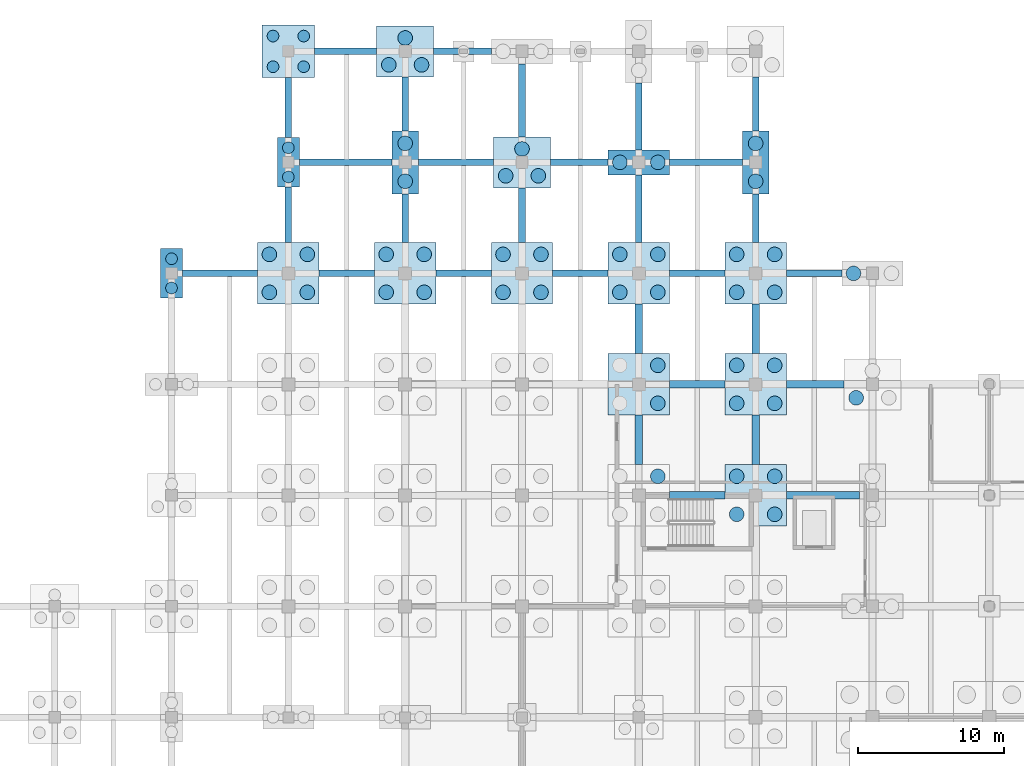
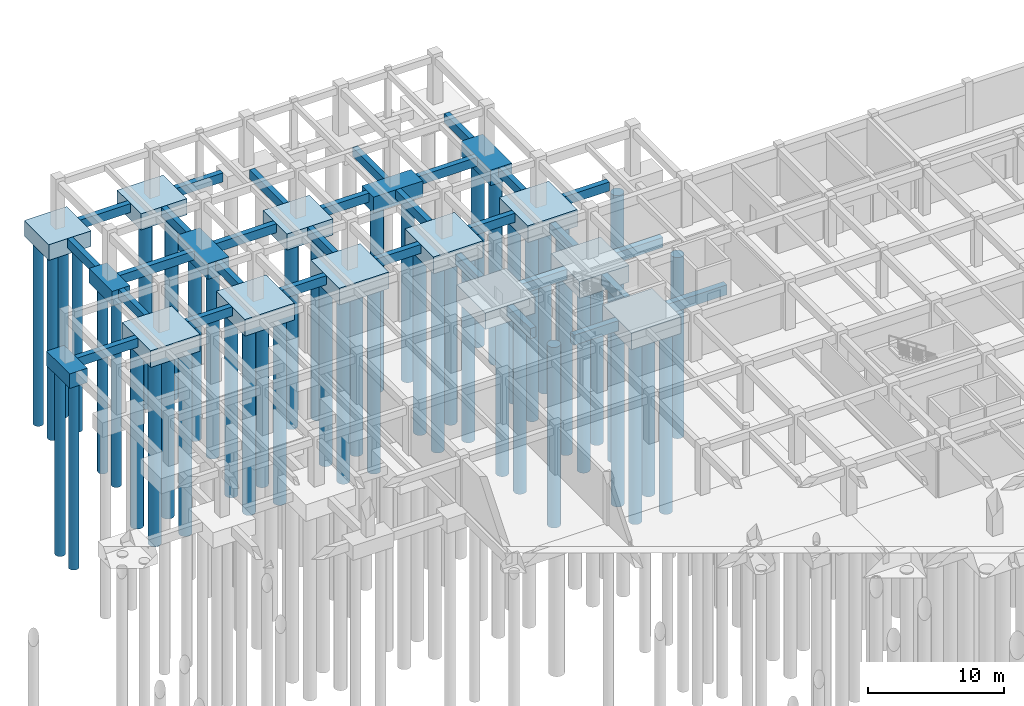
# One storey, part 9 of 49: 53 piles, 46 footings.
"""IFC4 building model written with IfcOpenShell, lengths in metres."""

from ifc_helpers import new_model, si_unit, direction, frame, origin, origin_2d, place, context, subcontext, project, spatial, rectangle, circle, extrude, material, layer, layer_set, material_profile, profile_set, type_object, element, save


model = new_model("IFC4")

# Units and contexts
model_context = context("Model", 3, precision=1e-05, world=origin(), true_north=direction((0.0, 1.0)))
body_context = subcontext(model_context, "Body", "Model", "MODEL_VIEW")
ifc_project = project(units=[si_unit("LENGTHUNIT", "METRE"), si_unit("AREAUNIT", "SQUARE_METRE"), si_unit("VOLUMEUNIT", "CUBIC_METRE"), si_unit("PLANEANGLEUNIT", "RADIAN"), si_unit("MASSUNIT", "GRAM", prefix="KILO")], contexts=[model_context])

# Site, building, storey
site_placement = place(None, origin())
site = spatial("IfcSite", under=ifc_project, at=site_placement, CompositionType="ELEMENT")
building_placement = place(site_placement, origin())
building = spatial("IfcBuilding", under=site, at=building_placement, Name="Zantavel Square City Hall", CompositionType="ELEMENT")
storey_placement = place(building_placement, frame((0.0, 0.0, -4.5)))
storey = spatial("IfcBuildingStorey", under=building, at=storey_placement, Name="B1", CompositionType="ELEMENT", Elevation=-4.5)

# Piles
ifc_material_1 = material(Name="Concrete C35/45", Category="concrete")
ifc_material_profile_1 = material_profile(ifc_material_1, circle(Radius=0.5, at=origin_2d()), Name="PILE D1000")
ifc_profile_set_1 = profile_set([ifc_material_profile_1], Name="Concrete C35/45")
pile_type_1 = type_object("IfcPileType", Name="Bored Pile D1000 Concrete C35/45", PredefinedType="BORED", material=ifc_profile_set_1)
for number, where, z_axis, x_axis, name in (
    (1, (22.699951171875, 97.5, -1.39990234375), (0.0, 0.0, -1.0), (1.0, 0.0, 0.0), "Bored Pile FDN-PL-0240-0988-1"),
    (2, (25.300048828125, 97.5, -1.39990234375), (0.0, 0.0, -1.0), (1.0, 0.0, 0.0), "Bored Pile FDN-PL-0240-0988-2"),
    (3, (22.699951171875, 100.10009765625, -1.39990234375), (0.0, 0.0, -1.0), (1.0, 0.0, 0.0), "Bored Pile FDN-PL-0240-0988-3"),
    (4, (25.300048828125, 100.10009765625, -1.39990234375), (0.0, 0.0, -1.0), (1.0, 0.0, 0.0), "Bored Pile FDN-PL-0240-0988-4"),
    (5, (30.699951171875, 97.5, -1.39990234375), (0.0, 0.0, -1.0), (1.0, 0.0, 0.0), "Bored Pile FDN-PL-0320-0988-1"),
    (6, (33.300048828125, 97.5, -1.39990234375), (0.0, 0.0, -1.0), (1.0, 0.0, 0.0), "Bored Pile FDN-PL-0320-0988-2"),
    (7, (30.699951171875, 100.10009765625, -1.39990234375), (0.0, 0.0, -1.0), (1.0, 0.0, 0.0), "Bored Pile FDN-PL-0320-0988-3"),
    (8, (33.300048828125, 100.10009765625, -1.39990234375), (0.0, 0.0, -1.0), (1.0, 0.0, 0.0), "Bored Pile FDN-PL-0320-0988-4"),
):
    element("IfcPile", number, at=place(storey_placement, frame(where, z_axis=z_axis, x_axis=x_axis)), inside=storey, type_object=pile_type_1, Name=name, PredefinedType="BORED", context=body_context, shape_type="SweptSolid", body=[
        extrude(circle(Radius=0.5, at=origin_2d()), origin(), (0.0, 0.0, 1.0), 16.60009765625),
    ])
for number, where, z_axis, x_axis, name in (
    (9, (32.0, 105.10009765625, -1.300048828125), (0.0, 0.0, -1.0), (1.0, 0.0, 0.0), "Bored Pile FDN-PL-0320-1064-1"),
    (10, (32.0, 107.699951171875, -1.300048828125), (0.0, 0.0, -1.0), (1.0, 0.0, 0.0), "Bored Pile FDN-PL-0320-1064-2"),
):
    element("IfcPile", number, at=place(storey_placement, frame(where, z_axis=z_axis, x_axis=x_axis)), inside=storey, type_object=pile_type_1, Name=name, PredefinedType="BORED", context=body_context, shape_type="SweptSolid", body=[
        extrude(circle(Radius=0.5, at=origin_2d()), origin(), (0.0, 0.0, 1.0), 16.699951171875),
    ])
for number, where, z_axis, x_axis, name in (
    (11, (30.8798828125, 113.080078125, -1.35009765625), (0.0, 0.0, -1.0), (1.0, 0.0, 0.0), "Bored Pile FDN-PL-0320-1140-1"),
    (12, (33.1201171875, 113.080078125, -1.35009765625), (0.0, 0.0, -1.0), (1.0, 0.0, 0.0), "Bored Pile FDN-PL-0320-1140-2"),
    (13, (32.0, 114.919921875, -1.35009765625), (0.0, 0.0, -1.0), (1.0, 0.0, 0.0), "Bored Pile FDN-PL-0320-1140-3"),
):
    element("IfcPile", number, at=place(storey_placement, frame(where, z_axis=z_axis, x_axis=x_axis)), inside=storey, type_object=pile_type_1, Name=name, PredefinedType="BORED", context=body_context, shape_type="SweptSolid", body=[
        extrude(circle(Radius=0.5, at=origin_2d()), origin(), (0.0, 0.0, 1.0), 16.64990234375),
    ])
for number, where, z_axis, x_axis, name in (
    (14, (38.699951171875, 97.5, -1.39990234375), (0.0, 0.0, -1.0), (1.0, 0.0, 0.0), "Bored Pile FDN-PL-0400-0988-1"),
    (15, (41.300048828125, 97.5, -1.39990234375), (0.0, 0.0, -1.0), (1.0, 0.0, 0.0), "Bored Pile FDN-PL-0400-0988-2"),
    (16, (38.699951171875, 100.10009765625, -1.39990234375), (0.0, 0.0, -1.0), (1.0, 0.0, 0.0), "Bored Pile FDN-PL-0400-0988-3"),
    (17, (41.300048828125, 100.10009765625, -1.39990234375), (0.0, 0.0, -1.0), (1.0, 0.0, 0.0), "Bored Pile FDN-PL-0400-0988-4"),
):
    element("IfcPile", number, at=place(storey_placement, frame(where, z_axis=z_axis, x_axis=x_axis)), inside=storey, type_object=pile_type_1, Name=name, PredefinedType="BORED", context=body_context, shape_type="SweptSolid", body=[
        extrude(circle(Radius=0.5, at=origin_2d()), origin(), (0.0, 0.0, 1.0), 16.60009765625),
    ])
for number, where, z_axis, x_axis, name in (
    (18, (38.8798828125, 105.47998046875, -1.35009765625), (0.0, 0.0, -1.0), (1.0, 0.0, 0.0), "Bored Pile FDN-PL-0400-1064-1"),
    (19, (41.1201171875, 105.47998046875, -1.35009765625), (0.0, 0.0, -1.0), (1.0, 0.0, 0.0), "Bored Pile FDN-PL-0400-1064-2"),
    (20, (40.0, 107.320068359375, -1.35009765625), (0.0, 0.0, -1.0), (1.0, 0.0, 0.0), "Bored Pile FDN-PL-0400-1064-3"),
):
    element("IfcPile", number, at=place(storey_placement, frame(where, z_axis=z_axis, x_axis=x_axis)), inside=storey, type_object=pile_type_1, Name=name, PredefinedType="BORED", context=body_context, shape_type="SweptSolid", body=[
        extrude(circle(Radius=0.5, at=origin_2d()), origin(), (0.0, 0.0, 1.0), 16.64990234375),
    ])
for number, where, z_axis, x_axis, name in (
    (21, (49.300048828125, 84.89990234375, -1.800048828125), (0.0, 0.0, -1.0), (1.0, 0.0, 0.0), "Bored Pile FDN-PL-0480-0836-4"),
    (22, (49.300048828125, 89.89990234375, -1.800048828125), (0.0, 0.0, -1.0), (1.0, 0.0, 0.0), "Bored Pile FDN-PL-0480-0912-2"),
    (23, (49.300048828125, 92.5, -1.800048828125), (0.0, 0.0, -1.0), (1.0, 0.0, 0.0), "Bored Pile FDN-PL-0480-0912-4"),
):
    element("IfcPile", number, at=place(storey_placement, frame(where, z_axis=z_axis, x_axis=x_axis)), inside=storey, type_object=pile_type_1, Name=name, PredefinedType="BORED", context=body_context, shape_type="SweptSolid", body=[
        extrude(circle(Radius=0.5, at=origin_2d()), origin(), (0.0, 0.0, 1.0), 16.199951171875),
    ])
for number, where, z_axis, x_axis, name in (
    (24, (46.699951171875, 97.5, -1.39990234375), (0.0, 0.0, -1.0), (1.0, 0.0, 0.0), "Bored Pile FDN-PL-0480-0988-1"),
    (25, (49.300048828125, 97.5, -1.39990234375), (0.0, 0.0, -1.0), (1.0, 0.0, 0.0), "Bored Pile FDN-PL-0480-0988-2"),
    (26, (46.699951171875, 100.10009765625, -1.39990234375), (0.0, 0.0, -1.0), (1.0, 0.0, 0.0), "Bored Pile FDN-PL-0480-0988-3"),
    (27, (49.300048828125, 100.10009765625, -1.39990234375), (0.0, 0.0, -1.0), (1.0, 0.0, 0.0), "Bored Pile FDN-PL-0480-0988-4"),
):
    element("IfcPile", number, at=place(storey_placement, frame(where, z_axis=z_axis, x_axis=x_axis)), inside=storey, type_object=pile_type_1, Name=name, PredefinedType="BORED", context=body_context, shape_type="SweptSolid", body=[
        extrude(circle(Radius=0.5, at=origin_2d()), origin(), (0.0, 0.0, 1.0), 16.60009765625),
    ])
for number, where, z_axis, x_axis, name in (
    (28, (46.699951171875, 106.39990234375, -1.300048828125), (0.0, 0.0, -1.0), (1.0, 0.0, 0.0), "Bored Pile FDN-PL-0480-1064-1"),
    (29, (49.300048828125, 106.39990234375, -1.300048828125), (0.0, 0.0, -1.0), (1.0, 0.0, 0.0), "Bored Pile FDN-PL-0480-1064-2"),
):
    element("IfcPile", number, at=place(storey_placement, frame(where, z_axis=z_axis, x_axis=x_axis)), inside=storey, type_object=pile_type_1, Name=name, PredefinedType="BORED", context=body_context, shape_type="SweptSolid", body=[
        extrude(circle(Radius=0.5, at=origin_2d()), origin(), (0.0, 0.0, 1.0), 16.699951171875),
    ])
for number, where, z_axis, x_axis, name in (
    (30, (54.699951171875, 82.300048828125, -1.800048828125), (0.0, 0.0, -1.0), (1.0, 0.0, 0.0), "Bored Pile FDN-PL-0560-0836-1"),
    (31, (57.300048828125, 82.300048828125, -1.800048828125), (0.0, 0.0, -1.0), (1.0, 0.0, 0.0), "Bored Pile FDN-PL-0560-0836-2"),
    (32, (54.699951171875, 84.89990234375, -1.800048828125), (0.0, 0.0, -1.0), (1.0, 0.0, 0.0), "Bored Pile FDN-PL-0560-0836-3"),
    (33, (57.300048828125, 84.89990234375, -1.800048828125), (0.0, 0.0, -1.0), (1.0, 0.0, 0.0), "Bored Pile FDN-PL-0560-0836-4"),
    (34, (54.699951171875, 89.89990234375, -1.800048828125), (0.0, 0.0, -1.0), (1.0, 0.0, 0.0), "Bored Pile FDN-PL-0560-0912-1"),
    (35, (57.300048828125, 89.89990234375, -1.800048828125), (0.0, 0.0, -1.0), (1.0, 0.0, 0.0), "Bored Pile FDN-PL-0560-0912-2"),
    (36, (54.699951171875, 92.5, -1.800048828125), (0.0, 0.0, -1.0), (1.0, 0.0, 0.0), "Bored Pile FDN-PL-0560-0912-3"),
    (37, (57.300048828125, 92.5, -1.800048828125), (0.0, 0.0, -1.0), (1.0, 0.0, 0.0), "Bored Pile FDN-PL-0560-0912-4"),
):
    element("IfcPile", number, at=place(storey_placement, frame(where, z_axis=z_axis, x_axis=x_axis)), inside=storey, type_object=pile_type_1, Name=name, PredefinedType="BORED", context=body_context, shape_type="SweptSolid", body=[
        extrude(circle(Radius=0.5, at=origin_2d()), origin(), (0.0, 0.0, 1.0), 16.199951171875),
    ])
for number, where, z_axis, x_axis, name in (
    (38, (54.699951171875, 97.5, -1.39990234375), (0.0, 0.0, -1.0), (1.0, 0.0, 0.0), "Bored Pile FDN-PL-0560-0988-1"),
    (39, (57.300048828125, 97.5, -1.39990234375), (0.0, 0.0, -1.0), (1.0, 0.0, 0.0), "Bored Pile FDN-PL-0560-0988-2"),
    (40, (54.699951171875, 100.10009765625, -1.39990234375), (0.0, 0.0, -1.0), (1.0, 0.0, 0.0), "Bored Pile FDN-PL-0560-0988-3"),
    (41, (57.300048828125, 100.10009765625, -1.39990234375), (0.0, 0.0, -1.0), (1.0, 0.0, 0.0), "Bored Pile FDN-PL-0560-0988-4"),
):
    element("IfcPile", number, at=place(storey_placement, frame(where, z_axis=z_axis, x_axis=x_axis)), inside=storey, type_object=pile_type_1, Name=name, PredefinedType="BORED", context=body_context, shape_type="SweptSolid", body=[
        extrude(circle(Radius=0.5, at=origin_2d()), origin(), (0.0, 0.0, 1.0), 16.60009765625),
    ])
for number, where, z_axis, x_axis, name in (
    (42, (56.0, 105.10009765625, -1.300048828125), (0.0, 0.0, -1.0), (1.0, 0.0, 0.0), "Bored Pile FDN-PL-0560-1064-1"),
    (43, (56.0, 107.699951171875, -1.300048828125), (0.0, 0.0, -1.0), (1.0, 0.0, 0.0), "Bored Pile FDN-PL-0560-1064-2"),
):
    element("IfcPile", number, at=place(storey_placement, frame(where, z_axis=z_axis, x_axis=x_axis)), inside=storey, type_object=pile_type_1, Name=name, PredefinedType="BORED", context=body_context, shape_type="SweptSolid", body=[
        extrude(circle(Radius=0.5, at=origin_2d()), origin(), (0.0, 0.0, 1.0), 16.699951171875),
    ])
pile_1_placement = place(storey_placement, frame((62.8798828125, 90.280029296875, -1.75), z_axis=(0.0, 0.0, -1.0), x_axis=(1.0, 0.0, 0.0)))
element("IfcPile", 44, at=pile_1_placement, inside=storey, type_object=pile_type_1, Name="Bored Pile FDN-PL-0640-0912-1", PredefinedType="BORED", context=body_context, shape_type="SweptSolid", body=[
    extrude(circle(Radius=0.5, at=origin_2d()), origin(), (0.0, 0.0, 1.0), 16.25),
])
pile_2_placement = place(storey_placement, frame((62.699951171875, 98.800048828125, -1.300048828125), z_axis=(0.0, 0.0, -1.0), x_axis=(1.0, 0.0, 0.0)))
element("IfcPile", 45, at=pile_2_placement, inside=storey, type_object=pile_type_1, Name="Bored Pile FDN-PL-0640-0988-1", PredefinedType="BORED", context=body_context, shape_type="SweptSolid", body=[
    extrude(circle(Radius=0.5, at=origin_2d()), origin(), (0.0, 0.0, 1.0), 16.699951171875),
])
ifc_material_profile_2 = material_profile(ifc_material_1, circle(Radius=0.39990234375, at=origin_2d()), Name="PILE D800")
ifc_profile_set_2 = profile_set([ifc_material_profile_2], Name="Concrete C35/45")
pile_type_2 = type_object("IfcPileType", Name="Bored Pile D800 Concrete C35/45", PredefinedType="BORED", material=ifc_profile_set_2)
for number, where, z_axis, x_axis, name in (
    (46, (16.0, 97.800048828125, -1.199951171875), (0.0, 0.0, -1.0), (1.0, 0.0, 0.0), "Bored Pile FDN-PL-0160-0988-1"),
    (47, (16.0, 99.800048828125, -1.199951171875), (0.0, 0.0, -1.0), (1.0, 0.0, 0.0), "Bored Pile FDN-PL-0160-0988-2"),
    (48, (24.0, 105.39990234375, -1.199951171875), (0.0, 0.0, -1.0), (1.0, 0.0, 0.0), "Bored Pile FDN-PL-0240-1064-1"),
    (49, (24.0, 107.39990234375, -1.199951171875), (0.0, 0.0, -1.0), (1.0, 0.0, 0.0), "Bored Pile FDN-PL-0240-1064-2"),
):
    element("IfcPile", number, at=place(storey_placement, frame(where, z_axis=z_axis, x_axis=x_axis)), inside=storey, type_object=pile_type_2, Name=name, PredefinedType="BORED", context=body_context, shape_type="SweptSolid", body=[
        extrude(circle(Radius=0.39990234375, at=origin_2d()), origin(), (0.0, 0.0, 1.0), 16.800048828125),
    ])
for number, where, z_axis, x_axis, name in (
    (50, (22.949951171875, 112.949951171875, -1.300048828125), (0.0, 0.0, -1.0), (1.0, 0.0, 0.0), "Bored Pile FDN-PL-0240-1140-1"),
    (51, (25.050048828125, 112.949951171875, -1.300048828125), (0.0, 0.0, -1.0), (1.0, 0.0, 0.0), "Bored Pile FDN-PL-0240-1140-2"),
    (52, (22.949951171875, 115.050048828125, -1.300048828125), (0.0, 0.0, -1.0), (1.0, 0.0, 0.0), "Bored Pile FDN-PL-0240-1140-3"),
    (53, (25.050048828125, 115.050048828125, -1.300048828125), (0.0, 0.0, -1.0), (1.0, 0.0, 0.0), "Bored Pile FDN-PL-0240-1140-4"),
):
    element("IfcPile", number, at=place(storey_placement, frame(where, z_axis=z_axis, x_axis=x_axis)), inside=storey, type_object=pile_type_2, Name=name, PredefinedType="BORED", context=body_context, shape_type="SweptSolid", body=[
        extrude(circle(Radius=0.39990234375, at=origin_2d()), origin(), (0.0, 0.0, 1.0), 16.699951171875),
    ])

# Footings
ifc_material_profile_3 = material_profile(ifc_material_1, rectangle(XDim=0.449951171875, YDim=0.800048828125, at=origin_2d()), Name="RC 450x800")
ifc_profile_set_3 = profile_set([ifc_material_profile_3], Name="Concrete C35/45")
footing_type_1 = type_object("IfcFootingType", Name="Courtyard Grade Tie Beam 450x800 C35/45", PredefinedType="FOOTING_BEAM", material=ifc_profile_set_3)
footing_1_placement = place(storey_placement, frame((16.75, 98.800048828125, -0.39990234375), z_axis=(1.0, 0.0, 0.0), x_axis=(0.0, 1.0, 0.0)))
element("IfcFooting", 54, at=footing_1_placement, inside=storey, type_object=footing_type_1, Name="Grade Tie Beam FDN-GTBX-0160-0988", PredefinedType="FOOTING_BEAM", context=body_context, shape_type="SweptSolid", body=[
    extrude(rectangle(XDim=0.449951171875, YDim=0.800048828125, at=origin_2d()), origin(), (0.0, 0.0, 1.0), 5.14990234375),
])
footing_2_placement = place(storey_placement, frame((26.10009765625, 98.800048828125, -0.39990234375), z_axis=(1.0, 0.0, 0.0), x_axis=(0.0, 1.0, 0.0)))
element("IfcFooting", 55, at=footing_2_placement, inside=storey, type_object=footing_type_1, Name="Grade Tie Beam FDN-GTBX-0240-0988", PredefinedType="FOOTING_BEAM", context=body_context, shape_type="SweptSolid", body=[
    extrude(rectangle(XDim=0.449951171875, YDim=0.800048828125, at=origin_2d()), origin(), (0.0, 0.0, 1.0), 3.7998046875),
])
footing_3_placement = place(storey_placement, frame((24.0, 100.89990234375, -0.39990234375), z_axis=(0.0, 1.0, 0.0), x_axis=(-1.0, 0.0, 0.0)))
element("IfcFooting", 56, at=footing_3_placement, inside=storey, type_object=footing_type_1, Name="Grade Tie Beam FDN-GTBY-0240-0988", PredefinedType="FOOTING_BEAM", context=body_context, shape_type="SweptSolid", body=[
    extrude(rectangle(XDim=0.449951171875, YDim=0.800048828125, at=origin_2d()), origin(), (0.0, 0.0, 1.0), 3.800048828125),
])
footing_4_placement = place(storey_placement, frame((24.75, 106.39990234375, -0.39990234375), z_axis=(1.0, 0.0, 0.0), x_axis=(0.0, 1.0, 0.0)))
element("IfcFooting", 57, at=footing_4_placement, inside=storey, type_object=footing_type_1, Name="Grade Tie Beam FDN-GTBX-0240-1064", PredefinedType="FOOTING_BEAM", context=body_context, shape_type="SweptSolid", body=[
    extrude(rectangle(XDim=0.449951171875, YDim=0.800048828125, at=origin_2d()), origin(), (0.0, 0.0, 1.0), 6.35009765625),
])
footing_5_placement = place(storey_placement, frame((24.0, 108.10009765625, -0.39990234375), z_axis=(0.0, 1.0, 0.0), x_axis=(-1.0, 0.0, 0.0)))
element("IfcFooting", 58, at=footing_5_placement, inside=storey, type_object=footing_type_1, Name="Grade Tie Beam FDN-GTBY-0240-1064", PredefinedType="FOOTING_BEAM", context=body_context, shape_type="SweptSolid", body=[
    extrude(rectangle(XDim=0.449951171875, YDim=0.800048828125, at=origin_2d()), origin(), (0.0, 0.0, 1.0), 4.099853515625),
])
footing_6_placement = place(storey_placement, frame((25.800048828125, 114.0, -0.39990234375), z_axis=(1.0, 0.0, 0.0), x_axis=(0.0, 1.0, 0.0)))
element("IfcFooting", 59, at=footing_6_placement, inside=storey, type_object=footing_type_1, Name="Grade Tie Beam FDN-GTBX-0240-1140", PredefinedType="FOOTING_BEAM", context=body_context, shape_type="SweptSolid", body=[
    extrude(rectangle(XDim=0.449951171875, YDim=0.800048828125, at=origin_2d()), origin(), (0.0, 0.0, 1.0), 4.25),
])
footing_7_placement = place(storey_placement, frame((34.10009765625, 98.800048828125, -0.39990234375), z_axis=(1.0, 0.0, 0.0), x_axis=(0.0, 1.0, 0.0)))
element("IfcFooting", 60, at=footing_7_placement, inside=storey, type_object=footing_type_1, Name="Grade Tie Beam FDN-GTBX-0320-0988", PredefinedType="FOOTING_BEAM", context=body_context, shape_type="SweptSolid", body=[
    extrude(rectangle(XDim=0.449951171875, YDim=0.800048828125, at=origin_2d()), origin(), (0.0, 0.0, 1.0), 3.7998046875),
])
footing_8_placement = place(storey_placement, frame((32.0, 100.89990234375, -0.39990234375), z_axis=(0.0, 1.0, 0.0), x_axis=(-1.0, 0.0, 0.0)))
element("IfcFooting", 61, at=footing_8_placement, inside=storey, type_object=footing_type_1, Name="Grade Tie Beam FDN-GTBY-0320-0988", PredefinedType="FOOTING_BEAM", context=body_context, shape_type="SweptSolid", body=[
    extrude(rectangle(XDim=0.449951171875, YDim=0.800048828125, at=origin_2d()), origin(), (0.0, 0.0, 1.0), 3.35009765625),
])
footing_9_placement = place(storey_placement, frame((32.89990234375, 106.39990234375, -0.39990234375), z_axis=(1.0, 0.0, 0.0), x_axis=(0.0, 1.0, 0.0)))
element("IfcFooting", 62, at=footing_9_placement, inside=storey, type_object=footing_type_1, Name="Grade Tie Beam FDN-GTBX-0320-1064", PredefinedType="FOOTING_BEAM", context=body_context, shape_type="SweptSolid", body=[
    extrude(rectangle(XDim=0.449951171875, YDim=0.800048828125, at=origin_2d()), origin(), (0.0, 0.0, 1.0), 5.150146484375),
])
footing_10_placement = place(storey_placement, frame((32.0, 108.550048828125, -0.39990234375), z_axis=(0.0, 1.0, 0.0), x_axis=(-1.0, 0.0, 0.0)))
element("IfcFooting", 63, at=footing_10_placement, inside=storey, type_object=footing_type_1, Name="Grade Tie Beam FDN-GTBY-0320-1064", PredefinedType="FOOTING_BEAM", context=body_context, shape_type="SweptSolid", body=[
    extrude(rectangle(XDim=0.449951171875, YDim=0.800048828125, at=origin_2d()), origin(), (0.0, 0.0, 1.0), 3.699951171875),
])
footing_11_placement = place(storey_placement, frame((33.949951171875, 114.0, -0.39990234375), z_axis=(1.0, 0.0, 0.0), x_axis=(0.0, 1.0, 0.0)))
element("IfcFooting", 64, at=footing_11_placement, inside=storey, type_object=footing_type_1, Name="Grade Tie Beam FDN-GTBX-0320-1140", PredefinedType="FOOTING_BEAM", context=body_context, shape_type="SweptSolid", body=[
    extrude(rectangle(XDim=0.449951171875, YDim=0.800048828125, at=origin_2d()), origin(), (0.0, 0.0, 1.0), 3.949951171875),
])
footing_12_placement = place(storey_placement, frame((42.10009765625, 98.800048828125, -0.39990234375), z_axis=(1.0, 0.0, 0.0), x_axis=(0.0, 1.0, 0.0)))
element("IfcFooting", 65, at=footing_12_placement, inside=storey, type_object=footing_type_1, Name="Grade Tie Beam FDN-GTBX-0400-0988", PredefinedType="FOOTING_BEAM", context=body_context, shape_type="SweptSolid", body=[
    extrude(rectangle(XDim=0.449951171875, YDim=0.800048828125, at=origin_2d()), origin(), (0.0, 0.0, 1.0), 3.7998046875),
])
footing_13_placement = place(storey_placement, frame((40.0, 100.89990234375, -0.39990234375), z_axis=(0.0, 1.0, 0.0), x_axis=(-1.0, 0.0, 0.0)))
element("IfcFooting", 66, at=footing_13_placement, inside=storey, type_object=footing_type_1, Name="Grade Tie Beam FDN-GTBY-0400-0988", PredefinedType="FOOTING_BEAM", context=body_context, shape_type="SweptSolid", body=[
    extrude(rectangle(XDim=0.449951171875, YDim=0.800048828125, at=origin_2d()), origin(), (0.0, 0.0, 1.0), 3.75),
])
footing_14_placement = place(storey_placement, frame((41.949951171875, 106.39990234375, -0.39990234375), z_axis=(1.0, 0.0, 0.0), x_axis=(0.0, 1.0, 0.0)))
element("IfcFooting", 67, at=footing_14_placement, inside=storey, type_object=footing_type_1, Name="Grade Tie Beam FDN-GTBX-0400-1064", PredefinedType="FOOTING_BEAM", context=body_context, shape_type="SweptSolid", body=[
    extrude(rectangle(XDim=0.449951171875, YDim=0.800048828125, at=origin_2d()), origin(), (0.0, 0.0, 1.0), 3.949951171875),
])
footing_15_placement = place(storey_placement, frame((40.0, 108.14990234375, -0.39990234375), z_axis=(0.0, 1.0, 0.0), x_axis=(-1.0, 0.0, 0.0)))
element("IfcFooting", 68, at=footing_15_placement, inside=storey, type_object=footing_type_1, Name="Grade Tie Beam FDN-GTBY-0400-1064", PredefinedType="FOOTING_BEAM", context=body_context, shape_type="SweptSolid", body=[
    extrude(rectangle(XDim=0.449951171875, YDim=0.800048828125, at=origin_2d()), origin(), (0.0, 0.0, 1.0), 5.0),
])
footing_16_placement = place(storey_placement, frame((50.10009765625, 98.800048828125, -0.39990234375), z_axis=(1.0, 0.0, 0.0), x_axis=(0.0, 1.0, 0.0)))
element("IfcFooting", 69, at=footing_16_placement, inside=storey, type_object=footing_type_1, Name="Grade Tie Beam FDN-GTBX-0480-0988", PredefinedType="FOOTING_BEAM", context=body_context, shape_type="SweptSolid", body=[
    extrude(rectangle(XDim=0.449951171875, YDim=0.800048828125, at=origin_2d()), origin(), (0.0, 0.0, 1.0), 3.7998046875),
])
footing_17_placement = place(storey_placement, frame((48.0, 100.89990234375, -0.39990234375), z_axis=(0.0, 1.0, 0.0), x_axis=(-1.0, 0.0, 0.0)))
element("IfcFooting", 70, at=footing_17_placement, inside=storey, type_object=footing_type_1, Name="Grade Tie Beam FDN-GTBY-0480-0988", PredefinedType="FOOTING_BEAM", context=body_context, shape_type="SweptSolid", body=[
    extrude(rectangle(XDim=0.449951171875, YDim=0.800048828125, at=origin_2d()), origin(), (0.0, 0.0, 1.0), 4.650146484375),
])
footing_18_placement = place(storey_placement, frame((50.10009765625, 106.39990234375, -0.39990234375), z_axis=(1.0, 0.0, 0.0), x_axis=(0.0, 1.0, 0.0)))
element("IfcFooting", 71, at=footing_18_placement, inside=storey, type_object=footing_type_1, Name="Grade Tie Beam FDN-GTBX-0480-1064", PredefinedType="FOOTING_BEAM", context=body_context, shape_type="SweptSolid", body=[
    extrude(rectangle(XDim=0.449951171875, YDim=0.800048828125, at=origin_2d()), origin(), (0.0, 0.0, 1.0), 5.0),
])
footing_19_placement = place(storey_placement, frame((48.0, 107.25, -0.39990234375), z_axis=(0.0, 1.0, 0.0), x_axis=(-1.0, 0.0, 0.0)))
element("IfcFooting", 72, at=footing_19_placement, inside=storey, type_object=footing_type_1, Name="Grade Tie Beam FDN-GTBY-0480-1064", PredefinedType="FOOTING_BEAM", context=body_context, shape_type="SweptSolid", body=[
    extrude(rectangle(XDim=0.449951171875, YDim=0.800048828125, at=origin_2d()), origin(), (0.0, 0.0, 1.0), 4.60009765625),
])
footing_20_placement = place(storey_placement, frame((58.10009765625, 98.800048828125, -0.39990234375), z_axis=(1.0, 0.0, 0.0), x_axis=(0.0, 1.0, 0.0)))
element("IfcFooting", 73, at=footing_20_placement, inside=storey, type_object=footing_type_1, Name="Grade Tie Beam FDN-GTBX-0560-0988", PredefinedType="FOOTING_BEAM", context=body_context, shape_type="SweptSolid", body=[
    extrude(rectangle(XDim=0.449951171875, YDim=0.800048828125, at=origin_2d()), origin(), (0.0, 0.0, 1.0), 3.7998046875),
])
footing_21_placement = place(storey_placement, frame((56.0, 100.89990234375, -0.39990234375), z_axis=(0.0, 1.0, 0.0), x_axis=(-1.0, 0.0, 0.0)))
element("IfcFooting", 74, at=footing_21_placement, inside=storey, type_object=footing_type_1, Name="Grade Tie Beam FDN-GTBY-0560-0988", PredefinedType="FOOTING_BEAM", context=body_context, shape_type="SweptSolid", body=[
    extrude(rectangle(XDim=0.449951171875, YDim=0.800048828125, at=origin_2d()), origin(), (0.0, 0.0, 1.0), 3.35009765625),
])
footing_22_placement = place(storey_placement, frame((56.0, 108.550048828125, -0.39990234375), z_axis=(0.0, 1.0, 0.0), x_axis=(-1.0, 0.0, 0.0)))
element("IfcFooting", 75, at=footing_22_placement, inside=storey, type_object=footing_type_1, Name="Grade Tie Beam FDN-GTBY-0560-1064", PredefinedType="FOOTING_BEAM", context=body_context, shape_type="SweptSolid", body=[
    extrude(rectangle(XDim=0.449951171875, YDim=0.800048828125, at=origin_2d()), origin(), (0.0, 0.0, 1.0), 3.699951171875),
])
ifc_material_profile_4 = material_profile(ifc_material_1, rectangle(XDim=0.5, YDim=0.89990234375, at=origin_2d()), Name="RC 500x900")
ifc_profile_set_4 = profile_set([ifc_material_profile_4], Name="Concrete C35/45")
footing_type_2 = type_object("IfcFootingType", Name="Grade Tie Beam 500x900 Concrete C35/45", PredefinedType="FOOTING_BEAM", material=ifc_profile_set_4)
footing_23_placement = place(storey_placement, frame((50.10009765625, 83.60009765625, -0.85009765625), z_axis=(1.0, 0.0, 0.0), x_axis=(0.0, 1.0, 0.0)))
element("IfcFooting", 76, at=footing_23_placement, inside=storey, type_object=footing_type_2, Name="Grade Tie Beam FDN-GTBX-0480-0836", PredefinedType="FOOTING_BEAM", context=body_context, shape_type="SweptSolid", body=[
    extrude(rectangle(XDim=0.5, YDim=0.89990234375, at=origin_2d()), origin(), (0.0, 0.0, 1.0), 3.7998046875),
])
footing_24_placement = place(storey_placement, frame((48.0, 85.699951171875, -0.85009765625), z_axis=(0.0, 1.0, 0.0), x_axis=(-1.0, 0.0, 0.0)))
element("IfcFooting", 77, at=footing_24_placement, inside=storey, type_object=footing_type_2, Name="Grade Tie Beam FDN-GTBY-0480-0836", PredefinedType="FOOTING_BEAM", context=body_context, shape_type="SweptSolid", body=[
    extrude(rectangle(XDim=0.5, YDim=0.89990234375, at=origin_2d()), origin(), (0.0, 0.0, 1.0), 3.400146484375),
])
footing_25_placement = place(storey_placement, frame((50.10009765625, 91.199951171875, -0.85009765625), z_axis=(1.0, 0.0, 0.0), x_axis=(0.0, 1.0, 0.0)))
element("IfcFooting", 78, at=footing_25_placement, inside=storey, type_object=footing_type_2, Name="Grade Tie Beam FDN-GTBX-0480-0912", PredefinedType="FOOTING_BEAM", context=body_context, shape_type="SweptSolid", body=[
    extrude(rectangle(XDim=0.5, YDim=0.89990234375, at=origin_2d()), origin(), (0.0, 0.0, 1.0), 3.7998046875),
])
footing_26_placement = place(storey_placement, frame((48.0, 93.300048828125, -0.85009765625), z_axis=(0.0, 1.0, 0.0), x_axis=(-1.0, 0.0, 0.0)))
element("IfcFooting", 79, at=footing_26_placement, inside=storey, type_object=footing_type_2, Name="Grade Tie Beam FDN-GTBY-0480-0912", PredefinedType="FOOTING_BEAM", context=body_context, shape_type="SweptSolid", body=[
    extrude(rectangle(XDim=0.5, YDim=0.89990234375, at=origin_2d()), origin(), (0.0, 0.0, 1.0), 3.39990234375),
])
footing_27_placement = place(storey_placement, frame((58.10009765625, 83.60009765625, -0.85009765625), z_axis=(1.0, 0.0, 0.0), x_axis=(0.0, 1.0, 0.0)))
element("IfcFooting", 80, at=footing_27_placement, inside=storey, type_object=footing_type_2, Name="Grade Tie Beam FDN-GTBX-0560-0836", PredefinedType="FOOTING_BEAM", context=body_context, shape_type="SweptSolid", body=[
    extrude(rectangle(XDim=0.5, YDim=0.89990234375, at=origin_2d()), origin(), (0.0, 0.0, 1.0), 5.0),
])
footing_28_placement = place(storey_placement, frame((56.0, 85.699951171875, -0.85009765625), z_axis=(0.0, 1.0, 0.0), x_axis=(-1.0, 0.0, 0.0)))
element("IfcFooting", 81, at=footing_28_placement, inside=storey, type_object=footing_type_2, Name="Grade Tie Beam FDN-GTBY-0560-0836", PredefinedType="FOOTING_BEAM", context=body_context, shape_type="SweptSolid", body=[
    extrude(rectangle(XDim=0.5, YDim=0.89990234375, at=origin_2d()), origin(), (0.0, 0.0, 1.0), 3.400146484375),
])
footing_29_placement = place(storey_placement, frame((58.10009765625, 91.199951171875, -0.85009765625), z_axis=(1.0, 0.0, 0.0), x_axis=(0.0, 1.0, 0.0)))
element("IfcFooting", 82, at=footing_29_placement, inside=storey, type_object=footing_type_2, Name="Grade Tie Beam FDN-GTBX-0560-0912", PredefinedType="FOOTING_BEAM", context=body_context, shape_type="SweptSolid", body=[
    extrude(rectangle(XDim=0.5, YDim=0.89990234375, at=origin_2d()), origin(), (0.0, 0.0, 1.0), 3.949951171875),
])
footing_30_placement = place(storey_placement, frame((56.0, 93.300048828125, -0.85009765625), z_axis=(0.0, 1.0, 0.0), x_axis=(-1.0, 0.0, 0.0)))
element("IfcFooting", 83, at=footing_30_placement, inside=storey, type_object=footing_type_2, Name="Grade Tie Beam FDN-GTBY-0560-0912", PredefinedType="FOOTING_BEAM", context=body_context, shape_type="SweptSolid", body=[
    extrude(rectangle(XDim=0.5, YDim=0.89990234375, at=origin_2d()), origin(), (0.0, 0.0, 1.0), 3.39990234375),
])
ifc_material_2 = material(Name="Concrete C40/50", Category="concrete")
ifc_layer_1 = layer(ifc_material_2, 1.39990234375, Name="Concrete C40/50")
ifc_layer_set_1 = layer_set([ifc_layer_1], Name="Concrete C40/50")
footing_type_3 = type_object("IfcFootingType", Name="Pile Cap 2P-D1000X 4200x1700x1400", PredefinedType="PILE_CAP", material=ifc_layer_set_1)
footing_31_placement = place(storey_placement, frame((48.0, 106.39990234375, -1.39990234375), z_axis=(0.0, 0.0, 1.0), x_axis=(1.0, 0.0, 0.0)))
element("IfcFooting", 84, at=footing_31_placement, inside=storey, type_object=footing_type_3, Name="Pile Cap FDN-PC-0480-1064", PredefinedType="PILE_CAP", context=body_context, shape_type="SweptSolid", body=[
    extrude(rectangle(XDim=4.199951171875, YDim=1.699951171875, at=origin_2d()), origin(), (0.0, 0.0, 1.0), 1.39990234375),
])
ifc_layer_2 = layer(ifc_material_2, 1.39990234375, Name="Concrete C40/50")
ifc_layer_set_2 = layer_set([ifc_layer_2], Name="Concrete C40/50")
footing_type_4 = type_object("IfcFootingType", Name="Pile Cap 2P-D1000Y 1800x4300x1400", PredefinedType="PILE_CAP", material=ifc_layer_set_2)
for number, where, z_axis, x_axis, name in (
    (85, (32.0, 106.39990234375, -1.39990234375), (0.0, 0.0, 1.0), (1.0, 0.0, 0.0), "Pile Cap FDN-PC-0320-1064"),
    (86, (56.0, 106.39990234375, -1.39990234375), (0.0, 0.0, 1.0), (1.0, 0.0, 0.0), "Pile Cap FDN-PC-0560-1064"),
):
    element("IfcFooting", number, at=place(storey_placement, frame(where, z_axis=z_axis, x_axis=x_axis)), inside=storey, type_object=footing_type_4, Name=name, PredefinedType="PILE_CAP", context=body_context, shape_type="SweptSolid", body=[
        extrude(rectangle(XDim=1.800048828125, YDim=4.300048828125, at=origin_2d()), origin(), (0.0, 0.0, 1.0), 1.39990234375),
    ])
ifc_layer_3 = layer(ifc_material_2, 1.300048828125, Name="Concrete C40/50")
ifc_layer_set_3 = layer_set([ifc_layer_3], Name="Concrete C40/50")
footing_type_5 = type_object("IfcFootingType", Name="Pile Cap 2P-D800Y 1500x3400x1300", PredefinedType="PILE_CAP", material=ifc_layer_set_3)
for number, where, z_axis, x_axis, name in (
    (87, (16.0, 98.800048828125, -1.2998046875), (0.0, 0.0, 1.0), (1.0, 0.0, 0.0), "Pile Cap FDN-PC-0160-0988"),
    (88, (24.0, 106.39990234375, -1.2998046875), (0.0, 0.0, 1.0), (1.0, 0.0, 0.0), "Pile Cap FDN-PC-0240-1064"),
):
    element("IfcFooting", number, at=place(storey_placement, frame(where, z_axis=z_axis, x_axis=x_axis)), inside=storey, type_object=footing_type_5, Name=name, PredefinedType="PILE_CAP", context=body_context, shape_type="SweptSolid", body=[
        extrude(rectangle(XDim=1.5, YDim=3.39990234375, at=origin_2d()), origin(), (0.0, 0.0, 1.0), 1.300048828125),
    ])
ifc_layer_4 = layer(ifc_material_2, 1.449951171875, Name="Concrete C40/50")
ifc_layer_set_4 = layer_set([ifc_layer_4], Name="Concrete C40/50")
footing_type_6 = type_object("IfcFootingType", Name="Pile Cap 3P-D1000 3900x3500x1450", PredefinedType="PILE_CAP", material=ifc_layer_set_4)
for number, where, z_axis, x_axis, name in (
    (89, (32.0, 114.0, -1.4501953125), (0.0, 0.0, 1.0), (1.0, 0.0, 0.0), "Pile Cap FDN-PC-0320-1140"),
    (90, (40.0, 106.39990234375, -1.4501953125), (0.0, 0.0, 1.0), (1.0, 0.0, 0.0), "Pile Cap FDN-PC-0400-1064"),
):
    element("IfcFooting", number, at=place(storey_placement, frame(where, z_axis=z_axis, x_axis=x_axis)), inside=storey, type_object=footing_type_6, Name=name, PredefinedType="PILE_CAP", context=body_context, shape_type="SweptSolid", body=[
        extrude(rectangle(XDim=3.89990234375, YDim=3.5, at=origin_2d()), origin(), (0.0, 0.0, 1.0), 1.449951171875),
    ])
ifc_layer_5 = layer(ifc_material_2, 1.5, Name="Concrete C40/50")
ifc_layer_set_5 = layer_set([ifc_layer_5], Name="Concrete C40/50")
footing_type_7 = type_object("IfcFootingType", Name="Pile Cap 4P-D1000 4200x4200x1500", PredefinedType="PILE_CAP", material=ifc_layer_set_5)
for number, where, z_axis, x_axis, name in (
    (91, (24.0, 98.800048828125, -1.5), (0.0, 0.0, 1.0), (1.0, 0.0, 0.0), "Pile Cap FDN-PC-0240-0988"),
    (92, (32.0, 98.800048828125, -1.5), (0.0, 0.0, 1.0), (1.0, 0.0, 0.0), "Pile Cap FDN-PC-0320-0988"),
    (93, (40.0, 98.800048828125, -1.5), (0.0, 0.0, 1.0), (1.0, 0.0, 0.0), "Pile Cap FDN-PC-0400-0988"),
    (94, (48.0, 91.199951171875, -1.89990234375), (0.0, 0.0, 1.0), (1.0, 0.0, 0.0), "Pile Cap FDN-PC-0480-0912"),
    (95, (48.0, 98.800048828125, -1.5), (0.0, 0.0, 1.0), (1.0, 0.0, 0.0), "Pile Cap FDN-PC-0480-0988"),
    (96, (56.0, 83.60009765625, -1.89990234375), (0.0, 0.0, 1.0), (1.0, 0.0, 0.0), "Pile Cap FDN-PC-0560-0836"),
    (97, (56.0, 91.199951171875, -1.89990234375), (0.0, 0.0, 1.0), (1.0, 0.0, 0.0), "Pile Cap FDN-PC-0560-0912"),
    (98, (56.0, 98.800048828125, -1.5), (0.0, 0.0, 1.0), (1.0, 0.0, 0.0), "Pile Cap FDN-PC-0560-0988"),
):
    element("IfcFooting", number, at=place(storey_placement, frame(where, z_axis=z_axis, x_axis=x_axis)), inside=storey, type_object=footing_type_7, Name=name, PredefinedType="PILE_CAP", context=body_context, shape_type="SweptSolid", body=[
        extrude(rectangle(XDim=4.199951171875, YDim=4.199951171875, at=origin_2d()), origin(), (0.0, 0.0, 1.0), 1.5),
    ])
ifc_layer_6 = layer(ifc_material_2, 1.39990234375, Name="Concrete C40/50")
ifc_layer_set_6 = layer_set([ifc_layer_6], Name="Concrete C40/50")
footing_type_8 = type_object("IfcFootingType", Name="Pile Cap 4P-D800 3600x3600x1400", PredefinedType="PILE_CAP", material=ifc_layer_set_6)
footing_32_placement = place(storey_placement, frame((24.0, 114.0, -1.39990234375), z_axis=(0.0, 0.0, 1.0), x_axis=(1.0, 0.0, 0.0)))
element("IfcFooting", 99, at=footing_32_placement, inside=storey, type_object=footing_type_8, Name="Pile Cap FDN-PC-0240-1140", PredefinedType="PILE_CAP", context=body_context, shape_type="SweptSolid", body=[
    extrude(rectangle(XDim=3.60009765625, YDim=3.60009765625, at=origin_2d()), origin(), (0.0, 0.0, 1.0), 1.39990234375),
])

save(model, "model.ifc")
